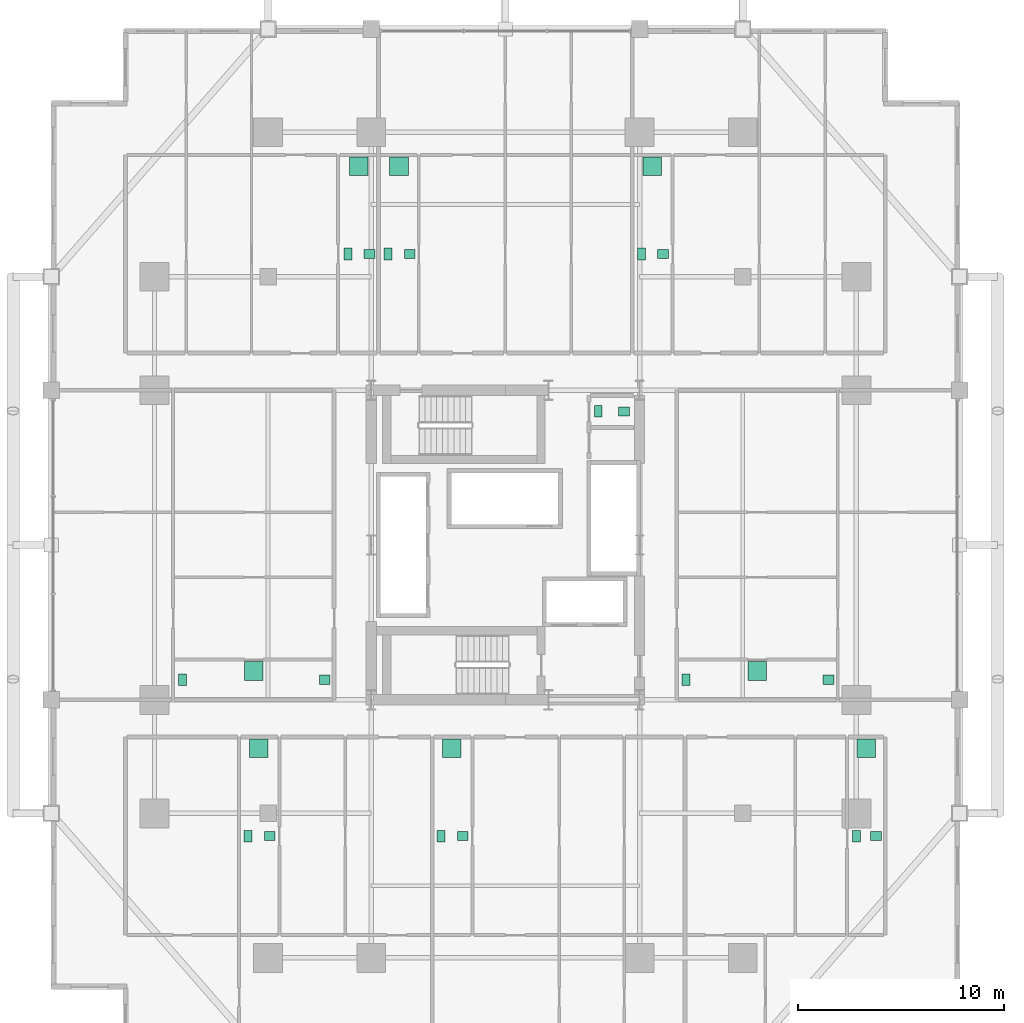
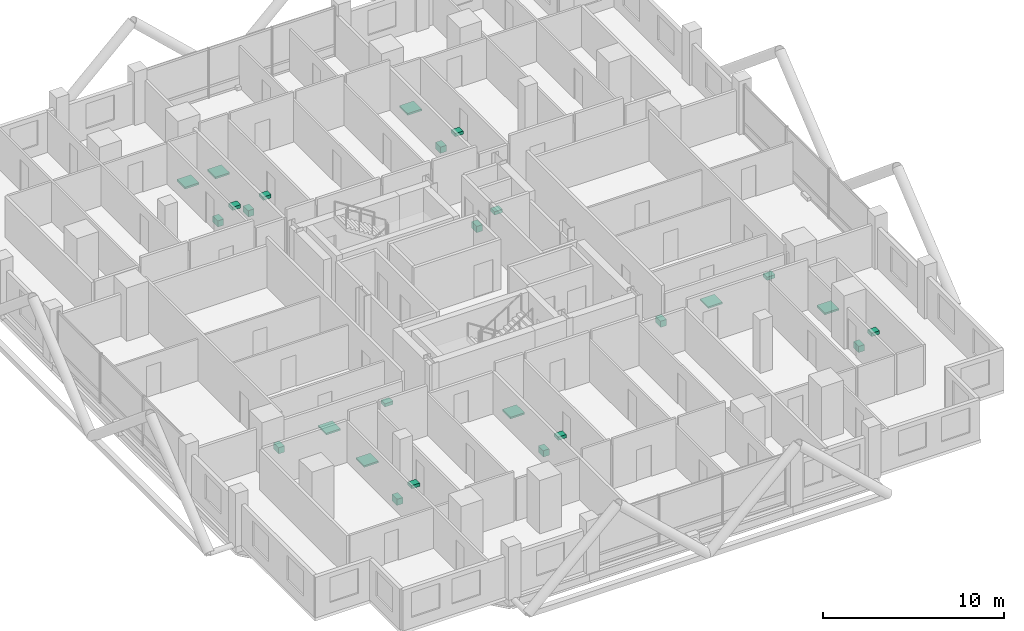
# One storey, part 28 of 28: 26 sanitary terminals.
"""IFC4 building model written with IfcOpenShell, lengths in metres."""

import ifcopenshell
import ifcopenshell.guid

model = None  # the IFC model being written
_history = None  # IfcOwnerHistory: only IFC2X3 demands one
_inside = {}  # id of a spatial element -> (the spatial element, [elements in it])
_under = {}  # id of a project, library or spatial element -> (it, [spatial elements below it])
_declared = {}  # id of a project -> (the project, [libraries it declares])
_typed = {}  # id of a type object -> (the type object, [elements of that type])
_made_of = {}  # id of a material, layer set ... -> (it, [elements and type objects made of it])


def new_model(schema):
    """Start an empty IFC model of exactly this schema.

    Asked for "IFC4X3", IfcOpenShell would pick the latest addendum, in which some entities
    have other attributes; the version numbers below select the first issue.
    IFC2X3 requires an IfcOwnerHistory on every rooted entity: one is made here for all.
    """
    global model, _history
    if schema == "IFC4X3":
        model = ifcopenshell.file(schema_version=(4, 3, 0, 0))
    else:
        model = ifcopenshell.file(schema=schema)
    _inside.clear()
    _under.clear()
    _declared.clear()
    _typed.clear()
    _made_of.clear()
    _history = None
    if model.schema == "IFC2X3":
        org = make("IfcOrganization", Name="unknown")
        user = make(
            "IfcPersonAndOrganization",
            ThePerson=make("IfcPerson", FamilyName="unknown"),
            TheOrganization=org,
        )
        app = make(
            "IfcApplication",
            ApplicationDeveloper=org,
            Version="unknown",
            ApplicationFullName="unknown",
            ApplicationIdentifier="unknown",
        )
        _history = make(
            "IfcOwnerHistory",
            OwningUser=user,
            OwningApplication=app,
            ChangeAction="ADDED",
            CreationDate=0,
        )
    return model


def make(cls, **values):
    """One entity of the class cls with the attributes given. An attribute that is None is left unset."""
    return model.create_entity(
        cls, **{name: value for name, value in values.items() if value is not None}
    )


def rooted(cls, **values):
    """An entity with a GlobalId (a new one), such as an element, a storey or a relation."""
    return make(cls, GlobalId=ifcopenshell.guid.new(), OwnerHistory=_history, **values)


def si_unit(unit_type, name, prefix=None):
    """IfcSIUnit, for example si_unit("LENGTHUNIT", "METRE", prefix="MILLI")."""
    return make("IfcSIUnit", UnitType=unit_type, Prefix=prefix, Name=name)


def assignment(units):
    """IfcUnitAssignment: the units of a project."""
    return None if units is None else make("IfcUnitAssignment", Units=units)


def point(xyz):
    """IfcCartesianPoint."""
    return None if xyz is None else make("IfcCartesianPoint", Coordinates=xyz)


def direction(xyz):
    """IfcDirection."""
    return None if xyz is None else make("IfcDirection", DirectionRatios=xyz)


def frame(location, z_axis=None, x_axis=None):
    """IfcAxis2Placement3D, a coordinate frame: its origin and axes. An axis left out is left unset."""
    return make(
        "IfcAxis2Placement3D",
        Location=point(location),
        Axis=direction(z_axis),
        RefDirection=direction(x_axis),
    )


def frame_2d(location, x_axis=None):
    """IfcAxis2Placement2D, a coordinate frame in the plane: its origin and x axis."""
    return make(
        "IfcAxis2Placement2D", Location=point(location), RefDirection=direction(x_axis)
    )


def origin():
    """The frame at (0, 0, 0) with its axes left unset."""
    return frame((0.0, 0.0, 0.0))


def origin_2d():
    """The frame at (0, 0) in the plane with its x axis left unset."""
    return frame_2d((0.0, 0.0))


def place(relative_to, where):
    """IfcLocalPlacement: puts the frame where relative to a parent placement (None: the world)."""
    return make(
        "IfcLocalPlacement", PlacementRelTo=relative_to, RelativePlacement=where
    )


def context(
    kind, dimensions, precision=None, world=None, true_north=None, identifier=None
):
    """IfcGeometricRepresentationContext, for example the 3D "Model" context."""
    return make(
        "IfcGeometricRepresentationContext",
        ContextIdentifier=identifier,
        ContextType=kind,
        CoordinateSpaceDimension=dimensions,
        Precision=precision,
        WorldCoordinateSystem=world,
        TrueNorth=true_north,
    )


def subcontext(parent, identifier, kind, view, scale=None):
    """IfcGeometricRepresentationSubContext, for example "Body" below "Model"."""
    return make(
        "IfcGeometricRepresentationSubContext",
        ContextIdentifier=identifier,
        ContextType=kind,
        ParentContext=parent,
        TargetScale=scale,
        TargetView=view,
    )


def project(units=None, contexts=None):
    """IfcProject with its units and contexts."""
    return rooted(
        "IfcProject",
        Name="project",
        RepresentationContexts=contexts,
        UnitsInContext=assignment(units),
    )


def spatial(cls, under=None, at=None, **own):
    """A site, building, storey or space (cls), placed at a placement, below another one or the project."""
    s = rooted(cls, ObjectPlacement=at, **own)
    if under is not None:
        _under.setdefault(under.id(), (under, []))[1].append(s)
    return s


def profile(cls, at=None, kind="AREA", **sizes):
    """A parametric profile (cls). Its sizes go by their IFC names, for example OverallWidth=200.0."""
    return make(cls, ProfileType=kind, Position=at, **sizes)


def rectangle(**sizes):
    """IfcRectangleProfileDef."""
    return profile("IfcRectangleProfileDef", **sizes)


def extrude(swept, where, along, depth):
    """IfcExtrudedAreaSolid: the profile swept, set in the frame where, extruded along a direction by depth."""
    return make(
        "IfcExtrudedAreaSolid",
        SweptArea=swept,
        Position=where,
        ExtrudedDirection=direction(along),
        Depth=depth,
    )


def shape(context_of_items, identifier, shape_type, items):
    """IfcShapeRepresentation: the items that make up one representation, for example the "Body"."""
    return make(
        "IfcShapeRepresentation",
        ContextOfItems=context_of_items,
        RepresentationIdentifier=identifier,
        RepresentationType=shape_type,
        Items=items,
    )


def material(Name=None, Category=None):
    """IfcMaterial."""
    return make("IfcMaterial", Name=Name, Category=Category)


def made_of(thing, what):
    """Note that an element or type object is made of a material, layer set ...; save() writes the relation."""
    if what is not None:
        _made_of.setdefault(what.id(), (what, []))[1].append(thing)
    return thing


def type_object(cls, material=None, **own):
    """A type object (cls), such as IfcWallType, which elements share."""
    return made_of(rooted(cls, **own), material)


def element(
    cls,
    number,
    at=None,
    inside=None,
    cuts=None,
    type_object=None,
    material=None,
    context=None,
    identifier="Body",
    shape_type=None,
    held_by="IfcProductDefinitionShape",
    body=None,
    shapes=None,
    **own,
):
    """One element of the class cls, such as IfcWall. Its Tag is "e" and its number.

    at: its placement. inside: the storey or other place that contains it. cuts: it is an
    opening in that element (IfcRelVoidsElement). A single representation is given by context,
    identifier, shape_type and body (its items); several are given by shapes. held_by: the class
    of the entity that holds the representations. save() writes the other relations.
    """
    e = rooted(cls, Tag="e%d" % number, ObjectPlacement=at, **own)
    if body is not None:
        shapes = [shape(context, identifier, shape_type, body)]
    if shapes is not None:
        e.Representation = make(held_by, Representations=shapes)
    if inside is not None:
        _inside.setdefault(inside.id(), (inside, []))[1].append(e)
    if cuts is not None:
        rooted(
            "IfcRelVoidsElement", RelatingBuildingElement=cuts, RelatedOpeningElement=e
        )
    if type_object is not None:
        _typed.setdefault(type_object.id(), (type_object, []))[1].append(e)
    return made_of(e, material)


def aggregate(whole, parts):
    """IfcRelAggregates: a whole, such as a stair, and the parts it consists of."""
    return rooted("IfcRelAggregates", RelatingObject=whole, RelatedObjects=parts)


def save(model, path):
    """Write the relations noted so far, then the file.

    IfcRelAggregates (storeys below a building ...), IfcRelContainedInSpatialStructure (elements
    in a storey), IfcRelDefinesByType, IfcRelAssociatesMaterial and IfcRelDeclares: one each for
    every whole, place, type object, material and project.
    """
    for whole, parts in _under.values():
        aggregate(whole, parts)
    for where, things in _inside.values():
        rooted(
            "IfcRelContainedInSpatialStructure",
            RelatedElements=things,
            RelatingStructure=where,
        )
    for kind, things in _typed.values():
        rooted("IfcRelDefinesByType", RelatedObjects=things, RelatingType=kind)
    for what, things in _made_of.values():
        rooted("IfcRelAssociatesMaterial", RelatedObjects=things, RelatingMaterial=what)
    for by, libraries in _declared.values():
        rooted("IfcRelDeclares", RelatingContext=by, RelatedDefinitions=libraries)
    model.write(path)


model = new_model("IFC4")

# Units and contexts
model_context = context("Model", 3, precision=1e-05, world=origin(), true_north=direction((0.0, 1.0)))
body_context = subcontext(model_context, "Body", "Model", "MODEL_VIEW")
ifc_project = project(units=[si_unit("LENGTHUNIT", "METRE"), si_unit("AREAUNIT", "SQUARE_METRE"), si_unit("VOLUMEUNIT", "CUBIC_METRE"), si_unit("PLANEANGLEUNIT", "RADIAN"), si_unit("MASSUNIT", "GRAM", prefix="KILO")], contexts=[model_context])

# Site, building, storey
site_placement = place(None, origin())
site = spatial("IfcSite", under=ifc_project, at=site_placement, CompositionType="ELEMENT")
building_placement = place(site_placement, origin())
building = spatial("IfcBuilding", under=site, at=building_placement, Name="Barlavira Tower and Art Museum", CompositionType="ELEMENT")
storey_placement = place(building_placement, frame((0.0, 0.0, 39.60009765625)))
storey = spatial("IfcBuildingStorey", under=building, at=storey_placement, Name="L08", CompositionType="ELEMENT", Elevation=39.60009765625)

# Sanitary terminals
ifc_material = material(Name="Vitreous glazed ceramic", Category="ceramic")
sanitary_terminal_type_1 = type_object("IfcSanitaryTerminalType", Name="Countertop Ceramic Wash Hand Basin", PredefinedType="WASHHANDBASIN", material=ifc_material)
for number, where, z_axis, x_axis, name in (
    (1, (5.75, 6.47509765625, 0.73974609375), (0.0, 0.0, 1.0), (1.0, 0.0, 0.0), "L08-C-WC1 Wash Basin"),
    (2, (-11.419921875, -14.10009765625, 0.73974609375), (0.0, 0.0, 1.0), (1.0, 0.0, 0.0), "L08-S1-BTH1 Wash Basin"),
    (3, (-2.070068359375, -14.10009765625, 0.73974609375), (0.0, 0.0, 1.0), (1.0, 0.0, 0.0), "L08-S2-BTH1 Wash Basin"),
    (4, (17.949951171875, -14.10009765625, 0.73974609375), (0.0, 0.0, 1.0), (1.0, 0.0, 0.0), "L08-S3-BTH1 Wash Basin"),
    (5, (-6.580078125, 14.10009765625, 0.73974609375), (0.0, 0.0, 1.0), (1.0, 0.0, 0.0), "L08-N1-BTH1 Wash Basin"),
    (6, (-4.6298828125, 14.10009765625, 0.73974609375), (0.0, 0.0, 1.0), (1.0, 0.0, 0.0), "L08-N2-BTH1 Wash Basin"),
    (7, (7.639892578125, 14.10009765625, 0.73974609375), (0.0, 0.0, 1.0), (1.0, 0.0, 0.0), "L08-N3-BTH1 Wash Basin"),
    (8, (-8.75, -6.52490234375, 0.73974609375), (0.0, 0.0, 1.0), (1.0, 0.0, 0.0), "L08-W1-BTH1 Wash Basin"),
    (9, (15.64990234375, -6.52490234375, 0.73974609375), (0.0, 0.0, 1.0), (1.0, 0.0, 0.0), "L08-E1-BTH1 Wash Basin"),
):
    element("IfcSanitaryTerminal", number, at=place(storey_placement, frame(where, z_axis=z_axis, x_axis=x_axis)), inside=storey, type_object=sanitary_terminal_type_1, Name=name, PredefinedType="WASHHANDBASIN", context=body_context, shape_type="SweptSolid", body=[
        extrude(rectangle(XDim=0.52001953125, YDim=0.43994140625, at=origin_2d()), origin(), (0.0, 0.0, 1.0), 0.219970703125),
    ])
sanitary_terminal_type_2 = type_object("IfcSanitaryTerminalType", Name="Walk-In Thermostatic Rain Shower Unit", PredefinedType="SHOWER", material=ifc_material)
for number, where, z_axis, x_axis, name in (
    (10, (-11.945068359375, -9.85009765625, -0.000244140625), (0.0, 0.0, 1.0), (1.0, 0.0, 0.0), "L08-S1-BTH1 Rain Shower"),
    (11, (-2.594970703125, -9.85009765625, -0.000244140625), (0.0, 0.0, 1.0), (1.0, 0.0, 0.0), "L08-S2-BTH1 Rain Shower"),
    (12, (17.47998046875, -9.85009765625, -0.000244140625), (0.0, 0.0, 1.0), (1.0, 0.0, 0.0), "L08-S3-BTH1 Rain Shower"),
    (13, (-7.10498046875, 18.35009765625, -0.000244140625), (0.0, 0.0, 1.0), (1.0, 0.0, 0.0), "L08-N1-BTH1 Rain Shower"),
    (14, (-5.155029296875, 18.35009765625, -0.000244140625), (0.0, 0.0, 1.0), (1.0, 0.0, 0.0), "L08-N2-BTH1 Rain Shower"),
    (15, (7.114990234375, 18.35009765625, -0.000244140625), (0.0, 0.0, 1.0), (1.0, 0.0, 0.0), "L08-N3-BTH1 Rain Shower"),
    (16, (-12.199951171875, -6.10009765625, -0.000244140625), (0.0, 0.0, 1.0), (1.0, 0.0, 0.0), "L08-W1-BTH1 Rain Shower"),
    (17, (12.199951171875, -6.10009765625, -0.000244140625), (0.0, 0.0, 1.0), (1.0, 0.0, 0.0), "L08-E1-BTH1 Rain Shower"),
):
    element("IfcSanitaryTerminal", number, at=place(storey_placement, frame(where, z_axis=z_axis, x_axis=x_axis)), inside=storey, type_object=sanitary_terminal_type_2, Name=name, PredefinedType="SHOWER", context=body_context, shape_type="SweptSolid", body=[
        extrude(rectangle(XDim=0.89990234375, YDim=0.89990234375, at=origin_2d()), origin(), (0.0, 0.0, 1.0), 0.1201171875),
    ])
sanitary_terminal_type_3 = type_object("IfcSanitaryTerminalType", Name="Wall-Hung Dual-Flush Vitreous WC Pan", PredefinedType="TOILETPAN", material=ifc_material)
for number, where, z_axis, x_axis, name in (
    (18, (4.5, 6.47509765625, 0.0), (0.0, 0.0, 1.0), (1.0, 0.0, 0.0), "L08-C-WC1 WC Pan"),
    (19, (-12.469970703125, -14.10009765625, 0.0), (0.0, 0.0, 1.0), (1.0, 0.0, 0.0), "L08-S1-BTH1 WC Pan"),
    (20, (-3.1201171875, -14.10009765625, 0.0), (0.0, 0.0, 1.0), (1.0, 0.0, 0.0), "L08-S2-BTH1 WC Pan"),
    (21, (17.010009765625, -14.10009765625, 0.0), (0.0, 0.0, 1.0), (1.0, 0.0, 0.0), "L08-S3-BTH1 WC Pan"),
    (22, (-7.6298828125, 14.10009765625, 0.0), (0.0, 0.0, 1.0), (1.0, 0.0, 0.0), "L08-N1-BTH1 WC Pan"),
    (23, (-5.679931640625, 14.10009765625, 0.0), (0.0, 0.0, 1.0), (1.0, 0.0, 0.0), "L08-N2-BTH1 WC Pan"),
    (24, (6.590087890625, 14.10009765625, 0.0), (0.0, 0.0, 1.0), (1.0, 0.0, 0.0), "L08-N3-BTH1 WC Pan"),
    (25, (-15.64990234375, -6.52490234375, 0.0), (0.0, 0.0, 1.0), (1.0, 0.0, 0.0), "L08-W1-BTH1 WC Pan"),
    (26, (8.75, -6.52490234375, 0.0), (0.0, 0.0, 1.0), (1.0, 0.0, 0.0), "L08-E1-BTH1 WC Pan"),
):
    element("IfcSanitaryTerminal", number, at=place(storey_placement, frame(where, z_axis=z_axis, x_axis=x_axis)), inside=storey, type_object=sanitary_terminal_type_3, Name=name, PredefinedType="TOILETPAN", context=body_context, shape_type="SweptSolid", body=[
        extrude(rectangle(XDim=0.3798828125, YDim=0.56005859375, at=origin_2d()), origin(), (0.0, 0.0, 1.0), 0.419921875),
    ])

save(model, "model.ifc")
